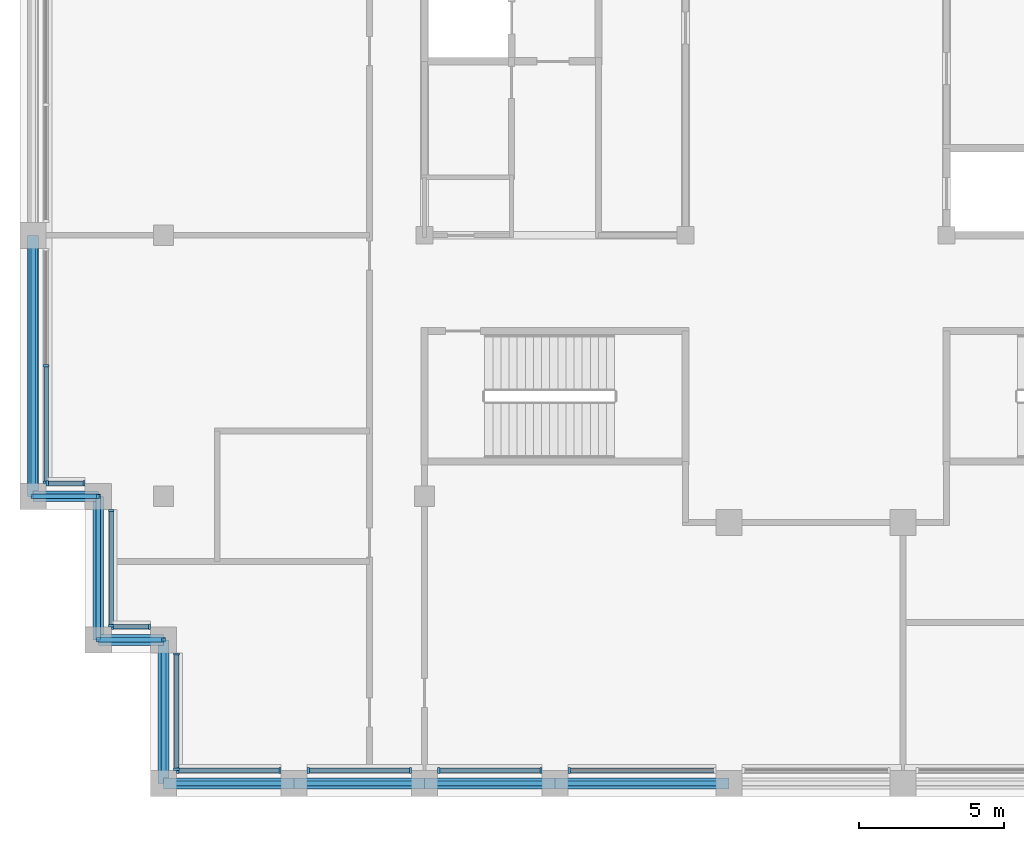
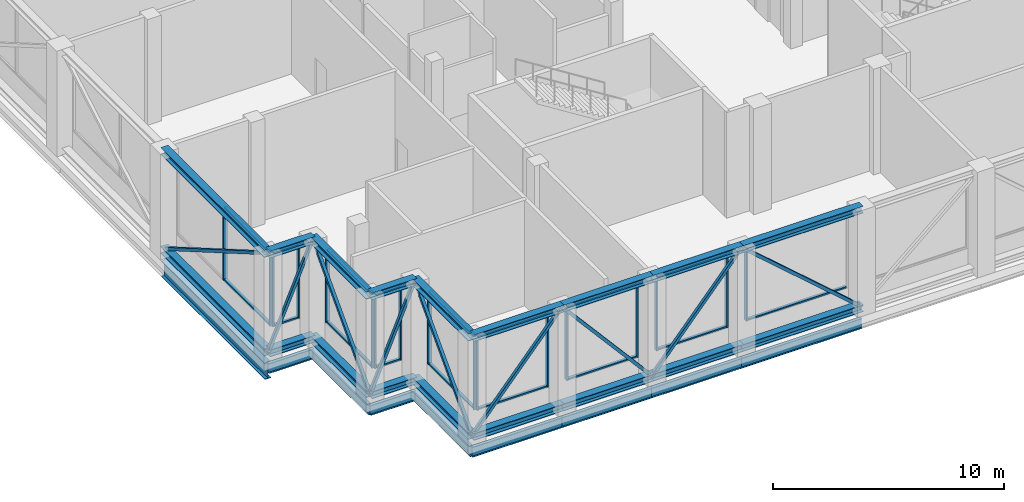
# One storey, part 2 of 17: 61 members, 9 beams, 9 elements without a shape of their own.
"""IFC4 building model written with IfcOpenShell, lengths in metres."""

from ifc_helpers import new_model, si_unit, direction, frame, origin, origin_2d, place, context, subcontext, project, spatial, rectangle, hollow_rectangle, i_section, extrude, material, layer, layer_set, material_profile, profile_set, type_object, element, aggregate, save


model = new_model("IFC4")

# Units and contexts
model_context = context("Model", 3, precision=1e-05, world=origin(), true_north=direction((0.0, 1.0)))
body_context = subcontext(model_context, "Body", "Model", "MODEL_VIEW")
ifc_project = project(units=[si_unit("LENGTHUNIT", "METRE"), si_unit("AREAUNIT", "SQUARE_METRE"), si_unit("VOLUMEUNIT", "CUBIC_METRE"), si_unit("PLANEANGLEUNIT", "RADIAN"), si_unit("MASSUNIT", "GRAM", prefix="KILO")], contexts=[model_context])

# Site, building, storey
site_placement = place(None, origin())
site = spatial("IfcSite", under=ifc_project, at=site_placement, CompositionType="ELEMENT")
building_placement = place(site_placement, origin())
building = spatial("IfcBuilding", under=site, at=building_placement, Name="Corbelhall Arena Tower", CompositionType="ELEMENT")
storey_placement = place(building_placement, frame((0.0, 0.0, 350.0)))
storey = spatial("IfcBuildingStorey", under=building, at=storey_placement, Name="L77", CompositionType="ELEMENT", Elevation=350.0)

# Curtain wall, members
ifc_material_1 = material(Name="Aluminium black anodised", Category="aluminium")
ifc_layer = layer(ifc_material_1, 0.199951171875)
ifc_layer_set = layer_set([ifc_layer], Name="EV-CW5 Sky band glazing")
curtain_wall_type = type_object("IfcCurtainWallType", Name="EV-CW5 Sky band glazing", PredefinedType="NOTDEFINED", material=ifc_layer_set)
curtain_wall_1_placement = place(storey_placement, origin())
curtain_wall_1 = element("IfcCurtainWall", 1, at=curtain_wall_1_placement, inside=storey, type_object=curtain_wall_type, Name="Curtain wall CW5", PredefinedType="NOTDEFINED")
ifc_material_profile_1 = material_profile(ifc_material_1, rectangle(XDim=0.199951171875, YDim=0.074951171875, at=origin_2d()))
ifc_profile_set_1 = profile_set([ifc_material_profile_1], Name="Aluminium black anodised")
member_type_1 = type_object("IfcMemberType", Name="EV-CW5-MULLION", PredefinedType="MULLION", material=ifc_profile_set_1)
member_1_placement = place(storey_placement, frame((-26.550048828125, -13.5, 1.10009765625), z_axis=(0.0, 0.0, 1.0), x_axis=(1.0, 0.0, 0.0)))
member_1 = element("IfcMember", 2, at=member_1_placement, type_object=member_type_1, Name="CW5 mullion 2", PredefinedType="MULLION", context=body_context, shape_type="SweptSolid", body=[
    extrude(rectangle(XDim=0.199951171875, YDim=0.074951171875, at=origin_2d()), origin(), (0.0, 0.0, 1.0), 3.8994140625),
])
member_2_placement = place(storey_placement, frame((-26.550048828125, -17.512451171875, 1.10009765625), z_axis=(0.0, 0.0, 1.0), x_axis=(1.0, 0.0, 0.0)))
member_2 = element("IfcMember", 3, at=member_2_placement, type_object=member_type_1, Name="CW5 mullion 3", PredefinedType="MULLION", context=body_context, shape_type="SweptSolid", body=[
    extrude(rectangle(XDim=0.199951171875, YDim=0.074951171875, at=origin_2d()), origin(), (0.0, 0.0, 1.0), 3.8994140625),
])

curtain_wall_2_placement = place(storey_placement, origin())
curtain_wall_2 = element("IfcCurtainWall", 4, at=curtain_wall_2_placement, inside=storey, type_object=curtain_wall_type, Name="Curtain wall CW5B", PredefinedType="NOTDEFINED")
member_3_placement = place(storey_placement, frame((-26.512451171875, -17.550048828125, 1.10009765625), z_axis=(0.0, 0.0, 1.0), x_axis=(0.0, 1.0, 0.0)))
member_3 = element("IfcMember", 5, at=member_3_placement, type_object=member_type_1, Name="CW5B mullion 1", PredefinedType="MULLION", context=body_context, shape_type="SweptSolid", body=[
    extrude(rectangle(XDim=0.199951171875, YDim=0.074951171875, at=origin_2d()), origin(), (0.0, 0.0, 1.0), 3.8994140625),
])
member_4_placement = place(storey_placement, frame((-25.237548828125, -17.550048828125, 1.10009765625), z_axis=(0.0, 0.0, 1.0), x_axis=(0.0, 1.0, 0.0)))
member_4 = element("IfcMember", 6, at=member_4_placement, type_object=member_type_1, Name="CW5B mullion 2", PredefinedType="MULLION", context=body_context, shape_type="SweptSolid", body=[
    extrude(rectangle(XDim=0.199951171875, YDim=0.074951171875, at=origin_2d()), origin(), (0.0, 0.0, 1.0), 3.8994140625),
])

curtain_wall_3_placement = place(storey_placement, origin())
curtain_wall_3 = element("IfcCurtainWall", 7, at=curtain_wall_3_placement, inside=storey, type_object=curtain_wall_type, Name="Curtain wall CW5", PredefinedType="NOTDEFINED")
member_5_placement = place(storey_placement, frame((-24.300048828125, -18.487548828125, 1.10009765625), z_axis=(0.0, 0.0, 1.0), x_axis=(1.0, 0.0, 0.0)))
member_5 = element("IfcMember", 8, at=member_5_placement, type_object=member_type_1, Name="CW5 mullion 1", PredefinedType="MULLION", context=body_context, shape_type="SweptSolid", body=[
    extrude(rectangle(XDim=0.199951171875, YDim=0.074951171875, at=origin_2d()), origin(), (0.0, 0.0, 1.0), 3.8994140625),
])
member_6_placement = place(storey_placement, frame((-24.300048828125, -22.46240234375, 1.10009765625), z_axis=(0.0, 0.0, 1.0), x_axis=(1.0, 0.0, 0.0)))
member_6 = element("IfcMember", 9, at=member_6_placement, type_object=member_type_1, Name="CW5 mullion 2", PredefinedType="MULLION", context=body_context, shape_type="SweptSolid", body=[
    extrude(rectangle(XDim=0.199951171875, YDim=0.074951171875, at=origin_2d()), origin(), (0.0, 0.0, 1.0), 3.8994140625),
])

curtain_wall_4_placement = place(storey_placement, origin())
curtain_wall_4 = element("IfcCurtainWall", 10, at=curtain_wall_4_placement, inside=storey, type_object=curtain_wall_type, Name="Curtain wall CW5B", PredefinedType="NOTDEFINED")
member_7_placement = place(storey_placement, frame((-24.262451171875, -22.5, 1.10009765625), z_axis=(0.0, 0.0, 1.0), x_axis=(0.0, 1.0, 0.0)))
member_7 = element("IfcMember", 11, at=member_7_placement, type_object=member_type_1, Name="CW5B mullion 1", PredefinedType="MULLION", context=body_context, shape_type="SweptSolid", body=[
    extrude(rectangle(XDim=0.199951171875, YDim=0.074951171875, at=origin_2d()), origin(), (0.0, 0.0, 1.0), 3.8994140625),
])
member_8_placement = place(storey_placement, frame((-22.987548828125, -22.5, 1.10009765625), z_axis=(0.0, 0.0, 1.0), x_axis=(0.0, 1.0, 0.0)))
member_8 = element("IfcMember", 12, at=member_8_placement, type_object=member_type_1, Name="CW5B mullion 2", PredefinedType="MULLION", context=body_context, shape_type="SweptSolid", body=[
    extrude(rectangle(XDim=0.199951171875, YDim=0.074951171875, at=origin_2d()), origin(), (0.0, 0.0, 1.0), 3.8994140625),
])

curtain_wall_5_placement = place(storey_placement, origin())
curtain_wall_5 = element("IfcCurtainWall", 13, at=curtain_wall_5_placement, inside=storey, type_object=curtain_wall_type, Name="Curtain wall CW5", PredefinedType="NOTDEFINED")
member_9_placement = place(storey_placement, frame((-22.050048828125, -23.4375, 1.10009765625), z_axis=(0.0, 0.0, 1.0), x_axis=(1.0, 0.0, 0.0)))
member_9 = element("IfcMember", 14, at=member_9_placement, type_object=member_type_1, Name="CW5 mullion 1", PredefinedType="MULLION", context=body_context, shape_type="SweptSolid", body=[
    extrude(rectangle(XDim=0.199951171875, YDim=0.074951171875, at=origin_2d()), origin(), (0.0, 0.0, 1.0), 3.8994140625),
])
member_10_placement = place(storey_placement, frame((-22.050048828125, -27.41259765625, 1.10009765625), z_axis=(0.0, 0.0, 1.0), x_axis=(1.0, 0.0, 0.0)))
member_10 = element("IfcMember", 15, at=member_10_placement, type_object=member_type_1, Name="CW5 mullion 2", PredefinedType="MULLION", context=body_context, shape_type="SweptSolid", body=[
    extrude(rectangle(XDim=0.199951171875, YDim=0.074951171875, at=origin_2d()), origin(), (0.0, 0.0, 1.0), 3.8994140625),
])

curtain_wall_6_placement = place(storey_placement, origin())
curtain_wall_6 = element("IfcCurtainWall", 16, at=curtain_wall_6_placement, inside=storey, type_object=curtain_wall_type, Name="Curtain wall CW5A", PredefinedType="NOTDEFINED")
member_11_placement = place(storey_placement, frame((-22.012451171875, -27.449951171875, 1.10009765625), z_axis=(0.0, 0.0, 1.0), x_axis=(0.0, 1.0, 0.0)))
member_11 = element("IfcMember", 17, at=member_11_placement, type_object=member_type_1, Name="CW5A mullion 1", PredefinedType="MULLION", context=body_context, shape_type="SweptSolid", body=[
    extrude(rectangle(XDim=0.199951171875, YDim=0.074951171875, at=origin_2d()), origin(), (0.0, 0.0, 1.0), 3.8994140625),
])
member_12_placement = place(storey_placement, frame((-18.487548828125, -27.449951171875, 1.10009765625), z_axis=(0.0, 0.0, 1.0), x_axis=(0.0, 1.0, 0.0)))
member_12 = element("IfcMember", 18, at=member_12_placement, type_object=member_type_1, Name="CW5A mullion 2", PredefinedType="MULLION", context=body_context, shape_type="SweptSolid", body=[
    extrude(rectangle(XDim=0.199951171875, YDim=0.074951171875, at=origin_2d()), origin(), (0.0, 0.0, 1.0), 3.8994140625),
])

curtain_wall_7_placement = place(storey_placement, origin())
curtain_wall_7 = element("IfcCurtainWall", 19, at=curtain_wall_7_placement, inside=storey, type_object=curtain_wall_type, Name="Curtain wall CW5A", PredefinedType="NOTDEFINED")
member_13_placement = place(storey_placement, frame((-17.512451171875, -27.449951171875, 1.10009765625), z_axis=(0.0, 0.0, 1.0), x_axis=(0.0, 1.0, 0.0)))
member_13 = element("IfcMember", 20, at=member_13_placement, type_object=member_type_1, Name="CW5A mullion 1", PredefinedType="MULLION", context=body_context, shape_type="SweptSolid", body=[
    extrude(rectangle(XDim=0.199951171875, YDim=0.074951171875, at=origin_2d()), origin(), (0.0, 0.0, 1.0), 3.8994140625),
])
member_14_placement = place(storey_placement, frame((-13.987548828125, -27.449951171875, 1.10009765625), z_axis=(0.0, 0.0, 1.0), x_axis=(0.0, 1.0, 0.0)))
member_14 = element("IfcMember", 21, at=member_14_placement, type_object=member_type_1, Name="CW5A mullion 2", PredefinedType="MULLION", context=body_context, shape_type="SweptSolid", body=[
    extrude(rectangle(XDim=0.199951171875, YDim=0.074951171875, at=origin_2d()), origin(), (0.0, 0.0, 1.0), 3.8994140625),
])

curtain_wall_8_placement = place(storey_placement, origin())
curtain_wall_8 = element("IfcCurtainWall", 22, at=curtain_wall_8_placement, inside=storey, type_object=curtain_wall_type, Name="Curtain wall CW5A", PredefinedType="NOTDEFINED")
member_15_placement = place(storey_placement, frame((-13.012451171875, -27.449951171875, 1.10009765625), z_axis=(0.0, 0.0, 1.0), x_axis=(0.0, 1.0, 0.0)))
member_15 = element("IfcMember", 23, at=member_15_placement, type_object=member_type_1, Name="CW5A mullion 1", PredefinedType="MULLION", context=body_context, shape_type="SweptSolid", body=[
    extrude(rectangle(XDim=0.199951171875, YDim=0.074951171875, at=origin_2d()), origin(), (0.0, 0.0, 1.0), 3.8994140625),
])
member_16_placement = place(storey_placement, frame((-9.487548828125, -27.449951171875, 1.10009765625), z_axis=(0.0, 0.0, 1.0), x_axis=(0.0, 1.0, 0.0)))
member_16 = element("IfcMember", 24, at=member_16_placement, type_object=member_type_1, Name="CW5A mullion 2", PredefinedType="MULLION", context=body_context, shape_type="SweptSolid", body=[
    extrude(rectangle(XDim=0.199951171875, YDim=0.074951171875, at=origin_2d()), origin(), (0.0, 0.0, 1.0), 3.8994140625),
])

# Curtain wall, member
curtain_wall_9_placement = place(storey_placement, origin())
curtain_wall_9 = element("IfcCurtainWall", 25, at=curtain_wall_9_placement, inside=storey, type_object=curtain_wall_type, Name="Curtain wall CW5C", PredefinedType="NOTDEFINED")
member_17_placement = place(storey_placement, frame((-8.512451171875, -27.449951171875, 1.10009765625), z_axis=(0.0, 0.0, 1.0), x_axis=(0.0, 1.0, 0.0)))
member_17 = element("IfcMember", 26, at=member_17_placement, type_object=member_type_1, Name="CW5C mullion 1", PredefinedType="MULLION", context=body_context, shape_type="SweptSolid", body=[
    extrude(rectangle(XDim=0.199951171875, YDim=0.074951171875, at=origin_2d()), origin(), (0.0, 0.0, 1.0), 3.8994140625),
])

# Member
ifc_material_profile_2 = material_profile(ifc_material_1, rectangle(XDim=0.14990234375, YDim=0.074951171875, at=origin_2d()))
ifc_profile_set_2 = profile_set([ifc_material_profile_2], Name="Aluminium black anodised")
member_type_2 = type_object("IfcMemberType", Name="EV-CW5-TRANSOM", PredefinedType="USERDEFINED", material=ifc_profile_set_2)
member_18_placement = place(storey_placement, frame((-26.550048828125, -13.53759765625, 1.137451171875), z_axis=(0.0, -1.0, 0.0), x_axis=(1.0, 0.0, 0.0)))
member_18 = element("IfcMember", 27, at=member_18_placement, type_object=member_type_2, Name="CW5 transom 2.1", ObjectType="transom", PredefinedType="USERDEFINED", context=body_context, shape_type="SweptSolid", body=[
    extrude(rectangle(XDim=0.14990234375, YDim=0.074951171875, at=origin_2d()), origin(), (0.0, 0.0, 1.0), 3.9375),
])

member_19_placement = place(storey_placement, frame((-26.550048828125, -13.53759765625, 4.962158203125), z_axis=(0.0, -1.0, 0.0), x_axis=(1.0, 0.0, 0.0)))
member_19 = element("IfcMember", 28, at=member_19_placement, type_object=member_type_2, Name="CW5 transom 2.2", ObjectType="transom", PredefinedType="USERDEFINED", context=body_context, shape_type="SweptSolid", body=[
    extrude(rectangle(XDim=0.14990234375, YDim=0.074951171875, at=origin_2d()), origin(), (0.0, 0.0, 1.0), 3.9375),
])

aggregate(curtain_wall_1, [member_1, member_2, member_18, member_19])

member_20_placement = place(storey_placement, frame((-26.47509765625, -17.550048828125, 1.137451171875), z_axis=(1.0, 0.0, 0.0), x_axis=(0.0, 1.0, 0.0)))
member_20 = element("IfcMember", 29, at=member_20_placement, type_object=member_type_2, Name="CW5B transom 1.1", ObjectType="transom", PredefinedType="USERDEFINED", context=body_context, shape_type="SweptSolid", body=[
    extrude(rectangle(XDim=0.14990234375, YDim=0.074951171875, at=origin_2d()), origin(), (0.0, 0.0, 1.0), 1.2001953125),
])

member_21_placement = place(storey_placement, frame((-26.47509765625, -17.550048828125, 4.962158203125), z_axis=(1.0, 0.0, 0.0), x_axis=(0.0, 1.0, 0.0)))
member_21 = element("IfcMember", 30, at=member_21_placement, type_object=member_type_2, Name="CW5B transom 1.2", ObjectType="transom", PredefinedType="USERDEFINED", context=body_context, shape_type="SweptSolid", body=[
    extrude(rectangle(XDim=0.14990234375, YDim=0.074951171875, at=origin_2d()), origin(), (0.0, 0.0, 1.0), 1.2001953125),
])

aggregate(curtain_wall_2, [member_3, member_4, member_20, member_21])

member_22_placement = place(storey_placement, frame((-24.300048828125, -18.52490234375, 1.137451171875), z_axis=(0.0, -1.0, 0.0), x_axis=(1.0, 0.0, 0.0)))
member_22 = element("IfcMember", 31, at=member_22_placement, type_object=member_type_2, Name="CW5 transom 1.1", ObjectType="transom", PredefinedType="USERDEFINED", context=body_context, shape_type="SweptSolid", body=[
    extrude(rectangle(XDim=0.14990234375, YDim=0.074951171875, at=origin_2d()), origin(), (0.0, 0.0, 1.0), 3.900146484375),
])

member_23_placement = place(storey_placement, frame((-24.300048828125, -18.52490234375, 4.962158203125), z_axis=(0.0, -1.0, 0.0), x_axis=(1.0, 0.0, 0.0)))
member_23 = element("IfcMember", 32, at=member_23_placement, type_object=member_type_2, Name="CW5 transom 1.2", ObjectType="transom", PredefinedType="USERDEFINED", context=body_context, shape_type="SweptSolid", body=[
    extrude(rectangle(XDim=0.14990234375, YDim=0.074951171875, at=origin_2d()), origin(), (0.0, 0.0, 1.0), 3.900146484375),
])

aggregate(curtain_wall_3, [member_5, member_6, member_22, member_23])

member_24_placement = place(storey_placement, frame((-24.22509765625, -22.5, 1.137451171875), z_axis=(1.0, 0.0, 0.0), x_axis=(0.0, 1.0, 0.0)))
member_24 = element("IfcMember", 33, at=member_24_placement, type_object=member_type_2, Name="CW5B transom 1.1", ObjectType="transom", PredefinedType="USERDEFINED", context=body_context, shape_type="SweptSolid", body=[
    extrude(rectangle(XDim=0.14990234375, YDim=0.074951171875, at=origin_2d()), origin(), (0.0, 0.0, 1.0), 1.2001953125),
])

member_25_placement = place(storey_placement, frame((-24.22509765625, -22.5, 4.962158203125), z_axis=(1.0, 0.0, 0.0), x_axis=(0.0, 1.0, 0.0)))
member_25 = element("IfcMember", 34, at=member_25_placement, type_object=member_type_2, Name="CW5B transom 1.2", ObjectType="transom", PredefinedType="USERDEFINED", context=body_context, shape_type="SweptSolid", body=[
    extrude(rectangle(XDim=0.14990234375, YDim=0.074951171875, at=origin_2d()), origin(), (0.0, 0.0, 1.0), 1.2001953125),
])

aggregate(curtain_wall_4, [member_7, member_8, member_24, member_25])

member_26_placement = place(storey_placement, frame((-22.050048828125, -23.47509765625, 1.137451171875), z_axis=(0.0, -1.0, 0.0), x_axis=(1.0, 0.0, 0.0)))
member_26 = element("IfcMember", 35, at=member_26_placement, type_object=member_type_2, Name="CW5 transom 1.1", ObjectType="transom", PredefinedType="USERDEFINED", context=body_context, shape_type="SweptSolid", body=[
    extrude(rectangle(XDim=0.14990234375, YDim=0.074951171875, at=origin_2d()), origin(), (0.0, 0.0, 1.0), 3.89990234375),
])

member_27_placement = place(storey_placement, frame((-22.050048828125, -23.47509765625, 4.962158203125), z_axis=(0.0, -1.0, 0.0), x_axis=(1.0, 0.0, 0.0)))
member_27 = element("IfcMember", 36, at=member_27_placement, type_object=member_type_2, Name="CW5 transom 1.2", ObjectType="transom", PredefinedType="USERDEFINED", context=body_context, shape_type="SweptSolid", body=[
    extrude(rectangle(XDim=0.14990234375, YDim=0.074951171875, at=origin_2d()), origin(), (0.0, 0.0, 1.0), 3.89990234375),
])

aggregate(curtain_wall_5, [member_9, member_10, member_26, member_27])

member_28_placement = place(storey_placement, frame((-21.97509765625, -27.449951171875, 1.137451171875), z_axis=(1.0, 0.0, 0.0), x_axis=(0.0, 1.0, 0.0)))
member_28 = element("IfcMember", 37, at=member_28_placement, type_object=member_type_2, Name="CW5A transom 1.1", ObjectType="transom", PredefinedType="USERDEFINED", context=body_context, shape_type="SweptSolid", body=[
    extrude(rectangle(XDim=0.14990234375, YDim=0.074951171875, at=origin_2d()), origin(), (0.0, 0.0, 1.0), 3.4501953125),
])

member_29_placement = place(storey_placement, frame((-21.97509765625, -27.449951171875, 4.962158203125), z_axis=(1.0, 0.0, 0.0), x_axis=(0.0, 1.0, 0.0)))
member_29 = element("IfcMember", 38, at=member_29_placement, type_object=member_type_2, Name="CW5A transom 1.2", ObjectType="transom", PredefinedType="USERDEFINED", context=body_context, shape_type="SweptSolid", body=[
    extrude(rectangle(XDim=0.14990234375, YDim=0.074951171875, at=origin_2d()), origin(), (0.0, 0.0, 1.0), 3.4501953125),
])

aggregate(curtain_wall_6, [member_11, member_12, member_28, member_29])

member_30_placement = place(storey_placement, frame((-17.47509765625, -27.449951171875, 1.137451171875), z_axis=(1.0, 0.0, 0.0), x_axis=(0.0, 1.0, 0.0)))
member_30 = element("IfcMember", 39, at=member_30_placement, type_object=member_type_2, Name="CW5A transom 1.1", ObjectType="transom", PredefinedType="USERDEFINED", context=body_context, shape_type="SweptSolid", body=[
    extrude(rectangle(XDim=0.14990234375, YDim=0.074951171875, at=origin_2d()), origin(), (0.0, 0.0, 1.0), 3.4501953125),
])

member_31_placement = place(storey_placement, frame((-17.47509765625, -27.449951171875, 4.962158203125), z_axis=(1.0, 0.0, 0.0), x_axis=(0.0, 1.0, 0.0)))
member_31 = element("IfcMember", 40, at=member_31_placement, type_object=member_type_2, Name="CW5A transom 1.2", ObjectType="transom", PredefinedType="USERDEFINED", context=body_context, shape_type="SweptSolid", body=[
    extrude(rectangle(XDim=0.14990234375, YDim=0.074951171875, at=origin_2d()), origin(), (0.0, 0.0, 1.0), 3.4501953125),
])

aggregate(curtain_wall_7, [member_13, member_14, member_30, member_31])

member_32_placement = place(storey_placement, frame((-12.97509765625, -27.449951171875, 1.137451171875), z_axis=(1.0, 0.0, 0.0), x_axis=(0.0, 1.0, 0.0)))
member_32 = element("IfcMember", 41, at=member_32_placement, type_object=member_type_2, Name="CW5A transom 1.1", ObjectType="transom", PredefinedType="USERDEFINED", context=body_context, shape_type="SweptSolid", body=[
    extrude(rectangle(XDim=0.14990234375, YDim=0.074951171875, at=origin_2d()), origin(), (0.0, 0.0, 1.0), 3.4501953125),
])

member_33_placement = place(storey_placement, frame((-12.97509765625, -27.449951171875, 4.962158203125), z_axis=(1.0, 0.0, 0.0), x_axis=(0.0, 1.0, 0.0)))
member_33 = element("IfcMember", 42, at=member_33_placement, type_object=member_type_2, Name="CW5A transom 1.2", ObjectType="transom", PredefinedType="USERDEFINED", context=body_context, shape_type="SweptSolid", body=[
    extrude(rectangle(XDim=0.14990234375, YDim=0.074951171875, at=origin_2d()), origin(), (0.0, 0.0, 1.0), 3.4501953125),
])

aggregate(curtain_wall_8, [member_15, member_16, member_32, member_33])

member_34_placement = place(storey_placement, frame((-8.47509765625, -27.449951171875, 1.137451171875), z_axis=(1.0, 0.0, 0.0), x_axis=(0.0, 1.0, 0.0)))
member_34 = element("IfcMember", 43, at=member_34_placement, type_object=member_type_2, Name="CW5C transom 1.1", ObjectType="transom", PredefinedType="USERDEFINED", context=body_context, shape_type="SweptSolid", body=[
    extrude(rectangle(XDim=0.14990234375, YDim=0.074951171875, at=origin_2d()), origin(), (0.0, 0.0, 1.0), 4.9501953125),
])

aggregate(curtain_wall_9, [member_17, member_34])

# Members
ifc_material_2 = material(Name="Steel ASTM A992 Gr50", Category="steel")
ifc_material_profile_3 = material_profile(ifc_material_2, i_section(OverallWidth=0.373291015625, OverallDepth=0.373291015625, WebThickness=0.016357421875, FlangeThickness=0.026123046875, at=origin_2d()))
ifc_profile_set_3 = profile_set([ifc_material_profile_3], Name="Steel ASTM A992 Gr50")
member_type_3 = type_object("IfcMemberType", Name="ST-CHORD-W14x132", PredefinedType="CHORD", material=ifc_profile_set_3)
for number, where, z_axis, x_axis, name in (
    (44, (-3.0, -27.89990234375, 0.186767578125), (-1.0, 0.0, 0.0), (0.0, -1.0, 0.0), "Truss chord BC 21"),
    (45, (-3.0, -27.89990234375, 5.412841796875), (-1.0, 0.0, 0.0), (0.0, -1.0, 0.0), "Truss chord TC 21"),
):
    element("IfcMember", number, at=place(storey_placement, frame(where, z_axis=z_axis, x_axis=x_axis)), inside=storey, type_object=member_type_3, Name=name, PredefinedType="CHORD", context=body_context, shape_type="SweptSolid", body=[
        extrude(i_section(OverallWidth=0.373291015625, OverallDepth=0.373291015625, WebThickness=0.016357421875, FlangeThickness=0.026123046875, at=origin_2d()), origin(), (0.0, 0.0, 1.0), 6.0),
    ])
for number, where, z_axis, x_axis, name in (
    (46, (-9.0, -27.89990234375, 0.186767578125), (-1.0, 0.0, 0.0), (0.0, -1.0, 0.0), "Truss chord BC 22"),
    (47, (-9.0, -27.89990234375, 5.412841796875), (-1.0, 0.0, 0.0), (0.0, -1.0, 0.0), "Truss chord TC 22"),
    (48, (-13.5, -27.89990234375, 0.186767578125), (-1.0, 0.0, 0.0), (0.0, -1.0, 0.0), "Truss chord BC 23"),
    (49, (-13.5, -27.89990234375, 5.412841796875), (-1.0, 0.0, 0.0), (0.0, -1.0, 0.0), "Truss chord TC 23"),
    (50, (-18.0, -27.89990234375, 0.186767578125), (-1.0, 0.0, 0.0), (0.0, -1.0, 0.0), "Truss chord BC 24"),
    (51, (-18.0, -27.89990234375, 5.412841796875), (-1.0, 0.0, 0.0), (0.0, -1.0, 0.0), "Truss chord TC 24"),
):
    element("IfcMember", number, at=place(storey_placement, frame(where, z_axis=z_axis, x_axis=x_axis)), inside=storey, type_object=member_type_3, Name=name, PredefinedType="CHORD", context=body_context, shape_type="SweptSolid", body=[
        extrude(i_section(OverallWidth=0.373291015625, OverallDepth=0.373291015625, WebThickness=0.016357421875, FlangeThickness=0.026123046875, at=origin_2d()), origin(), (0.0, 0.0, 1.0), 4.5),
    ])
for number, where, z_axis, x_axis, name in (
    (52, (-22.5, -27.89990234375, 0.186767578125), (0.0, 1.0, 0.0), (-1.0, 0.0, 0.0), "Truss chord BC 25"),
    (53, (-22.5, -27.89990234375, 5.412841796875), (0.0, 1.0, 0.0), (-1.0, 0.0, 0.0), "Truss chord TC 25"),
):
    element("IfcMember", number, at=place(storey_placement, frame(where, z_axis=z_axis, x_axis=x_axis)), inside=storey, type_object=member_type_3, Name=name, PredefinedType="CHORD", context=body_context, shape_type="SweptSolid", body=[
        extrude(i_section(OverallWidth=0.373291015625, OverallDepth=0.373291015625, WebThickness=0.016357421875, FlangeThickness=0.026123046875, at=origin_2d()), origin(), (0.0, 0.0, 1.0), 4.949951171875),
    ])
for number, where, z_axis, x_axis, name in (
    (54, (-27.0, -18.0, 0.186767578125), (0.0, 1.0, 0.0), (-1.0, 0.0, 0.0), "Truss chord BC 30"),
    (55, (-27.0, -18.0, 5.412841796875), (0.0, 1.0, 0.0), (-1.0, 0.0, 0.0), "Truss chord TC 30"),
):
    element("IfcMember", number, at=place(storey_placement, frame(where, z_axis=z_axis, x_axis=x_axis)), inside=storey, type_object=member_type_3, Name=name, PredefinedType="CHORD", context=body_context, shape_type="SweptSolid", body=[
        extrude(i_section(OverallWidth=0.373291015625, OverallDepth=0.373291015625, WebThickness=0.016357421875, FlangeThickness=0.026123046875, at=origin_2d()), origin(), (0.0, 0.0, 1.0), 9.0),
    ])
for number, where, z_axis, x_axis, name in (
    (56, (-22.5, -22.949951171875, 0.186767578125), (-1.0, 0.0, 0.0), (0.0, -1.0, 0.0), "Truss chord BC 40"),
    (57, (-22.5, -22.949951171875, 5.412841796875), (-1.0, 0.0, 0.0), (0.0, -1.0, 0.0), "Truss chord TC 40"),
):
    element("IfcMember", number, at=place(storey_placement, frame(where, z_axis=z_axis, x_axis=x_axis)), inside=storey, type_object=member_type_3, Name=name, PredefinedType="CHORD", context=body_context, shape_type="SweptSolid", body=[
        extrude(i_section(OverallWidth=0.373291015625, OverallDepth=0.373291015625, WebThickness=0.016357421875, FlangeThickness=0.026123046875, at=origin_2d()), origin(), (0.0, 0.0, 1.0), 2.25),
    ])
for number, where, z_axis, x_axis, name in (
    (58, (-24.75, -22.949951171875, 0.186767578125), (0.0, 1.0, 0.0), (-1.0, 0.0, 0.0), "Truss chord BC 41"),
    (59, (-24.75, -22.949951171875, 5.412841796875), (0.0, 1.0, 0.0), (-1.0, 0.0, 0.0), "Truss chord TC 41"),
):
    element("IfcMember", number, at=place(storey_placement, frame(where, z_axis=z_axis, x_axis=x_axis)), inside=storey, type_object=member_type_3, Name=name, PredefinedType="CHORD", context=body_context, shape_type="SweptSolid", body=[
        extrude(i_section(OverallWidth=0.373291015625, OverallDepth=0.373291015625, WebThickness=0.016357421875, FlangeThickness=0.026123046875, at=origin_2d()), origin(), (0.0, 0.0, 1.0), 4.949951171875),
    ])
for number, where, z_axis, x_axis, name in (
    (60, (-24.75, -18.0, 0.186767578125), (-1.0, 0.0, 0.0), (0.0, -1.0, 0.0), "Truss chord BC 42"),
    (61, (-24.75, -18.0, 5.412841796875), (-1.0, 0.0, 0.0), (0.0, -1.0, 0.0), "Truss chord TC 42"),
):
    element("IfcMember", number, at=place(storey_placement, frame(where, z_axis=z_axis, x_axis=x_axis)), inside=storey, type_object=member_type_3, Name=name, PredefinedType="CHORD", context=body_context, shape_type="SweptSolid", body=[
        extrude(i_section(OverallWidth=0.373291015625, OverallDepth=0.373291015625, WebThickness=0.016357421875, FlangeThickness=0.026123046875, at=origin_2d()), origin(), (0.0, 0.0, 1.0), 2.25),
    ])

# Beams
ifc_material_profile_4 = material_profile(ifc_material_2, i_section(OverallWidth=0.16650390625, OverallDepth=0.535888671875, WebThickness=0.01025390625, FlangeThickness=0.0166015625, at=origin_2d()))
ifc_profile_set_4 = profile_set([ifc_material_profile_4], Name="Steel ASTM A992 Gr50")
beam_type_1 = type_object("IfcBeamType", Name="ST-SPANDREL-W21x57", PredefinedType="SPANDREL", material=ifc_profile_set_4)
beam_1_placement = place(storey_placement, frame((-3.0, -27.89990234375, -0.677978515625), z_axis=(-1.0, 0.0, 0.0), x_axis=(0.0, -1.0, 0.0)))
element("IfcBeam", 62, at=beam_1_placement, inside=storey, type_object=beam_type_1, Name="Beam SP 21", PredefinedType="SPANDREL", context=body_context, shape_type="SweptSolid", body=[
    extrude(i_section(OverallWidth=0.16650390625, OverallDepth=0.535888671875, WebThickness=0.01025390625, FlangeThickness=0.0166015625, at=origin_2d()), origin(), (0.0, 0.0, 1.0), 6.0),
])
for number, where, z_axis, x_axis, name in (
    (63, (-9.0, -27.89990234375, -0.677978515625), (-1.0, 0.0, 0.0), (0.0, -1.0, 0.0), "Beam SP 22"),
    (64, (-13.5, -27.89990234375, -0.677978515625), (-1.0, 0.0, 0.0), (0.0, -1.0, 0.0), "Beam SP 23"),
    (65, (-18.0, -27.89990234375, -0.677978515625), (-1.0, 0.0, 0.0), (0.0, -1.0, 0.0), "Beam SP 24"),
):
    element("IfcBeam", number, at=place(storey_placement, frame(where, z_axis=z_axis, x_axis=x_axis)), inside=storey, type_object=beam_type_1, Name=name, PredefinedType="SPANDREL", context=body_context, shape_type="SweptSolid", body=[
        extrude(i_section(OverallWidth=0.16650390625, OverallDepth=0.535888671875, WebThickness=0.01025390625, FlangeThickness=0.0166015625, at=origin_2d()), origin(), (0.0, 0.0, 1.0), 4.5),
    ])
beam_2_placement = place(storey_placement, frame((-22.5, -27.89990234375, -0.677978515625), z_axis=(0.0, 1.0, 0.0), x_axis=(-1.0, 0.0, 0.0)))
element("IfcBeam", 66, at=beam_2_placement, inside=storey, type_object=beam_type_1, Name="Beam SP 25", PredefinedType="SPANDREL", context=body_context, shape_type="SweptSolid", body=[
    extrude(i_section(OverallWidth=0.16650390625, OverallDepth=0.535888671875, WebThickness=0.01025390625, FlangeThickness=0.0166015625, at=origin_2d()), origin(), (0.0, 0.0, 1.0), 4.949951171875),
])
beam_3_placement = place(storey_placement, frame((-22.5, -22.949951171875, -0.677978515625), z_axis=(-1.0, 0.0, 0.0), x_axis=(0.0, -1.0, 0.0)))
element("IfcBeam", 67, at=beam_3_placement, inside=storey, type_object=beam_type_1, Name="Beam SP 40", PredefinedType="SPANDREL", context=body_context, shape_type="SweptSolid", body=[
    extrude(i_section(OverallWidth=0.16650390625, OverallDepth=0.535888671875, WebThickness=0.01025390625, FlangeThickness=0.0166015625, at=origin_2d()), origin(), (0.0, 0.0, 1.0), 2.25),
])
beam_4_placement = place(storey_placement, frame((-24.75, -22.949951171875, -0.677978515625), z_axis=(0.0, 1.0, 0.0), x_axis=(-1.0, 0.0, 0.0)))
element("IfcBeam", 68, at=beam_4_placement, inside=storey, type_object=beam_type_1, Name="Beam SP 41", PredefinedType="SPANDREL", context=body_context, shape_type="SweptSolid", body=[
    extrude(i_section(OverallWidth=0.16650390625, OverallDepth=0.535888671875, WebThickness=0.01025390625, FlangeThickness=0.0166015625, at=origin_2d()), origin(), (0.0, 0.0, 1.0), 4.949951171875),
])
beam_5_placement = place(storey_placement, frame((-24.75, -18.0, -0.677978515625), z_axis=(-1.0, 0.0, 0.0), x_axis=(0.0, -1.0, 0.0)))
element("IfcBeam", 69, at=beam_5_placement, inside=storey, type_object=beam_type_1, Name="Beam SP 42", PredefinedType="SPANDREL", context=body_context, shape_type="SweptSolid", body=[
    extrude(i_section(OverallWidth=0.16650390625, OverallDepth=0.535888671875, WebThickness=0.01025390625, FlangeThickness=0.0166015625, at=origin_2d()), origin(), (0.0, 0.0, 1.0), 2.25),
])
ifc_material_profile_5 = material_profile(ifc_material_2, i_section(OverallWidth=0.2919921875, OverallDepth=0.845703125, WebThickness=0.015380859375, FlangeThickness=0.0244140625, at=origin_2d()))
ifc_profile_set_5 = profile_set([ifc_material_profile_5], Name="Steel ASTM A992 Gr50")
beam_type_2 = type_object("IfcBeamType", Name="ST-SPANDREL-W33x141", PredefinedType="SPANDREL", material=ifc_profile_set_5)
beam_6_placement = place(storey_placement, frame((-27.0, -18.0, -0.8330078125), z_axis=(0.0, 1.0, 0.0), x_axis=(-1.0, 0.0, 0.0)))
element("IfcBeam", 70, at=beam_6_placement, inside=storey, type_object=beam_type_2, Name="Beam SP 30", PredefinedType="SPANDREL", context=body_context, shape_type="SweptSolid", body=[
    extrude(i_section(OverallWidth=0.2919921875, OverallDepth=0.845703125, WebThickness=0.015380859375, FlangeThickness=0.0244140625, at=origin_2d()), origin(), (0.0, 0.0, 1.0), 9.0),
])

# Members
ifc_material_3 = material(Name="Steel ASTM A500 Gr C", Category="steel")
ifc_material_profile_6 = material_profile(ifc_material_3, hollow_rectangle(XDim=0.15234375, YDim=0.15234375, WallThickness=0.0087890625, at=origin_2d()))
ifc_profile_set_6 = profile_set([ifc_material_profile_6], Name="Steel ASTM A500 Gr C")
member_type_4 = type_object("IfcMemberType", Name="ST-STRUT-HSS6x6x3/8", PredefinedType="STRUT", material=ifc_profile_set_6)
member_35_placement = place(storey_placement, frame((-3.0, -27.89990234375, 0.186767578125), z_axis=(-0.754064928794, 0.0, 0.656799880605), x_axis=(0.0, -1.0, 0.0)))
element("IfcMember", 71, at=member_35_placement, inside=storey, type_object=member_type_4, Name="Truss diagonal 21", PredefinedType="STRUT", context=body_context, shape_type="SweptSolid", body=[
    extrude(hollow_rectangle(XDim=0.15234375, YDim=0.15234375, WallThickness=0.0087890625, at=origin_2d()), origin(), (0.0, 0.0, 1.0), 7.956787109375),
])
for number, where, z_axis, x_axis, name in (
    (72, (-13.5, -27.89990234375, 0.186767578125), (0.65250393695, 0.0, 0.757785333894), (0.0, 1.0, 0.0), "Truss diagonal 22"),
    (73, (-13.5, -27.89990234375, 0.186767578125), (-0.65250393695, 0.0, 0.757785333894), (0.0, -1.0, 0.0), "Truss diagonal 23"),
    (74, (-22.5, -27.89990234375, 0.186767578125), (0.65250393695, 0.0, 0.757785333894), (0.0, 1.0, 0.0), "Truss diagonal 24"),
):
    element("IfcMember", number, at=place(storey_placement, frame(where, z_axis=z_axis, x_axis=x_axis)), inside=storey, type_object=member_type_4, Name=name, PredefinedType="STRUT", context=body_context, shape_type="SweptSolid", body=[
        extrude(hollow_rectangle(XDim=0.15234375, YDim=0.15234375, WallThickness=0.0087890625, at=origin_2d()), origin(), (0.0, 0.0, 1.0), 6.896484375),
    ])
member_36_placement = place(storey_placement, frame((-22.5, -27.89990234375, 0.186767578125), z_axis=(0.0, 0.687666560631, 0.72602665336), x_axis=(-1.0, 0.0, 0.0)))
element("IfcMember", 75, at=member_36_placement, inside=storey, type_object=member_type_4, Name="Truss diagonal 25", PredefinedType="STRUT", context=body_context, shape_type="SweptSolid", body=[
    extrude(hollow_rectangle(XDim=0.15234375, YDim=0.15234375, WallThickness=0.0087890625, at=origin_2d()), origin(), (0.0, 0.0, 1.0), 7.1982421875),
])
member_37_placement = place(storey_placement, frame((-27.0, -9.0, 0.186767578125), z_axis=(0.0, -0.864777773896, 0.50215475879), x_axis=(1.0, 0.0, 0.0)))
element("IfcMember", 76, at=member_37_placement, inside=storey, type_object=member_type_4, Name="Truss diagonal 30", PredefinedType="STRUT", context=body_context, shape_type="SweptSolid", body=[
    extrude(hollow_rectangle(XDim=0.15234375, YDim=0.15234375, WallThickness=0.0087890625, at=origin_2d()), origin(), (0.0, 0.0, 1.0), 10.4072265625),
])
member_38_placement = place(storey_placement, frame((-24.75, -22.949951171875, 0.186767578125), z_axis=(0.395441256722, 0.0, 0.918491269682), x_axis=(0.0, 1.0, 0.0)))
element("IfcMember", 77, at=member_38_placement, inside=storey, type_object=member_type_4, Name="Truss diagonal 40", PredefinedType="STRUT", context=body_context, shape_type="SweptSolid", body=[
    extrude(hollow_rectangle(XDim=0.15234375, YDim=0.15234375, WallThickness=0.0087890625, at=origin_2d()), origin(), (0.0, 0.0, 1.0), 5.68994140625),
])
member_39_placement = place(storey_placement, frame((-24.75, -22.949951171875, 0.186767578125), z_axis=(0.0, 0.687666560631, 0.72602665336), x_axis=(-1.0, 0.0, 0.0)))
element("IfcMember", 78, at=member_39_placement, inside=storey, type_object=member_type_4, Name="Truss diagonal 41", PredefinedType="STRUT", context=body_context, shape_type="SweptSolid", body=[
    extrude(hollow_rectangle(XDim=0.15234375, YDim=0.15234375, WallThickness=0.0087890625, at=origin_2d()), origin(), (0.0, 0.0, 1.0), 7.1982421875),
])
member_40_placement = place(storey_placement, frame((-27.0, -18.0, 0.186767578125), z_axis=(0.395441256722, 0.0, 0.918491269682), x_axis=(0.0, 1.0, 0.0)))
element("IfcMember", 79, at=member_40_placement, inside=storey, type_object=member_type_4, Name="Truss diagonal 42", PredefinedType="STRUT", context=body_context, shape_type="SweptSolid", body=[
    extrude(hollow_rectangle(XDim=0.15234375, YDim=0.15234375, WallThickness=0.0087890625, at=origin_2d()), origin(), (0.0, 0.0, 1.0), 5.68994140625),
])

save(model, "model.ifc")
